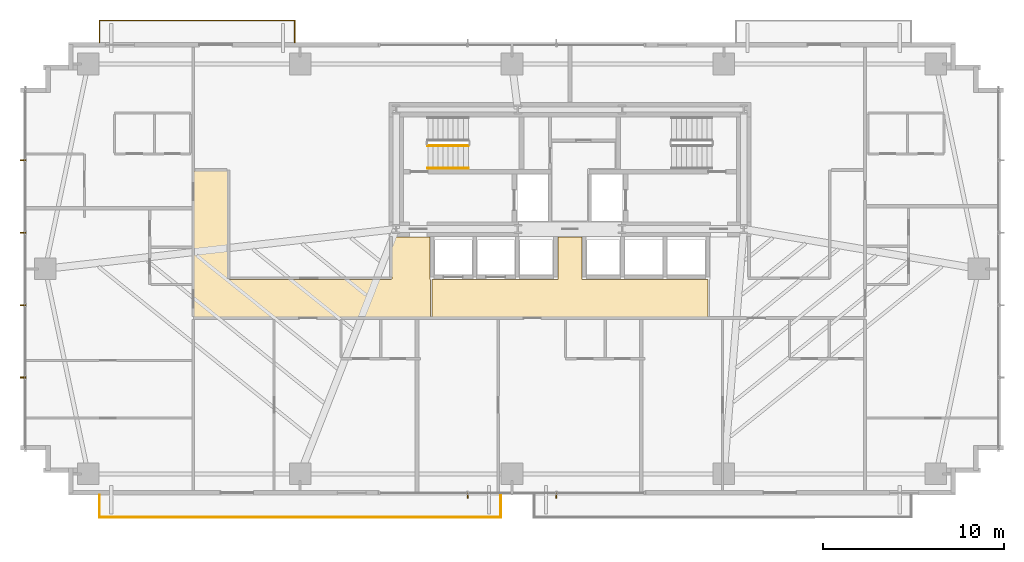
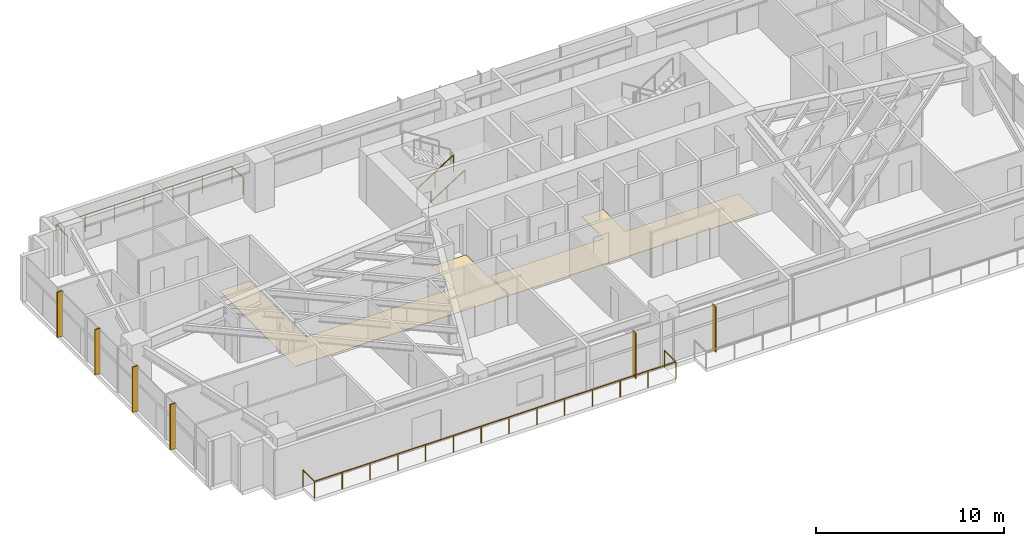
# One storey, part 23 of 25: 6 shading devices, 4 railings, 2 coverings.
"""IFC4 building model written with IfcOpenShell, lengths in metres."""

from ifc_helpers import new_model, si_unit, direction, frame, origin, origin_2d, place, context, subcontext, project, spatial, polyline, rectangle, outline, extrude, source, transform, mapped, material, layer, layer_set, type_object, type_shapes, element, save


model = new_model("IFC4")

# Units and contexts
model_context = context("Model", 3, precision=1e-05, world=origin(), true_north=direction((0.0, 1.0)))
body_context = subcontext(model_context, "Body", "Model", "MODEL_VIEW")
ifc_project = project(units=[si_unit("LENGTHUNIT", "METRE"), si_unit("AREAUNIT", "SQUARE_METRE"), si_unit("VOLUMEUNIT", "CUBIC_METRE"), si_unit("PLANEANGLEUNIT", "RADIAN"), si_unit("MASSUNIT", "GRAM", prefix="KILO")], contexts=[model_context])

# Site, building, storey
site_placement = place(None, origin())
site = spatial("IfcSite", under=ifc_project, at=site_placement, CompositionType="ELEMENT")
building_placement = place(site_placement, origin())
building = spatial("IfcBuilding", under=site, at=building_placement, Name="Astriad Promenade Condominiums", CompositionType="ELEMENT")
storey_placement = place(building_placement, frame((0.0, 0.0, 61.39990234375)))
storey = spatial("IfcBuildingStorey", under=building, at=storey_placement, Name="L17", CompositionType="ELEMENT", Elevation=61.39990234375)

# Coverings
ifc_material_1 = material(Name="Polished Lakefront Terrazzo Flooring")
ifc_layer = layer(ifc_material_1, 0.02001953125)
ifc_layer_set = layer_set([ifc_layer], Name="Polished Lakefront Terrazzo Flooring")
covering_type = type_object("IfcCoveringType", Name="COV-FLOR-TERRAZZO-20", PredefinedType="FLOORING", material=ifc_layer_set)
covering_1_placement = place(storey_placement, origin())
element("IfcCovering", 1, at=covering_1_placement, inside=storey, type_object=covering_type, Name="FLR-L17-LLB", PredefinedType="FLOORING", context=body_context, shape_type="SweptSolid", body=[
    extrude(outline(polyline([(43.610107421875, 14.610107421875), (43.610107421875, 12.530029296875), (28.389892578125, 12.530029296875), (28.389892578125, 14.610107421875), (35.300048828125, 14.610107421875), (35.303955078125, 14.610107421875), (35.307861328125, 14.61083984375), (35.3115234375, 14.61181640625), (35.315185546875, 14.613037109375), (35.31884765625, 14.61474609375), (35.322265625, 14.61669921875), (35.325439453125, 14.619140625), (35.328369140625, 14.62158203125), (35.330810546875, 14.62451171875), (35.333251953125, 14.627685546875), (35.335205078125, 14.631103515625), (35.3369140625, 14.634765625), (35.33837890625, 14.638427734375), (35.339111328125, 14.64208984375), (35.33984375, 14.64599609375), (35.340087890625, 14.64990234375), (35.340087890625, 16.9599609375), (36.659912109375, 16.9599609375), (36.659912109375, 14.64990234375), (36.66015625, 14.64599609375), (36.660888671875, 14.64208984375), (36.66162109375, 14.638427734375), (36.6630859375, 14.634765625), (36.664794921875, 14.631103515625), (36.666748046875, 14.627685546875), (36.669189453125, 14.62451171875), (36.671630859375, 14.62158203125), (36.674560546875, 14.619140625), (36.677734375, 14.61669921875), (36.68115234375, 14.61474609375), (36.684814453125, 14.613037109375), (36.6884765625, 14.61181640625), (36.692138671875, 14.61083984375), (36.696044921875, 14.610107421875), (36.699951171875, 14.610107421875), (43.610107421875, 14.610107421875)])), origin(), (0.0, 0.0, 1.0), 0.02001953125),
])
covering_2_placement = place(storey_placement, origin())
element("IfcCovering", 2, at=covering_2_placement, inside=storey, type_object=covering_type, Name="FLR-L17-COR-2", PredefinedType="FLOORING", context=body_context, shape_type="SweptSolid", body=[
    extrude(outline(polyline([(28.300048828125, 12.530029296875), (15.239990234375, 12.530029296875), (15.239990234375, 20.610107421875), (17.110107421875, 20.610107421875), (17.110107421875, 14.659912109375), (17.110107421875, 14.656005859375), (17.11083984375, 14.652099609375), (17.11181640625, 14.6484375), (17.113037109375, 14.644775390625), (17.11474609375, 14.64111328125), (17.11669921875, 14.6376953125), (17.119140625, 14.634521484375), (17.12158203125, 14.631591796875), (17.12451171875, 14.629150390625), (17.127685546875, 14.626708984375), (17.131103515625, 14.624755859375), (17.134765625, 14.623046875), (17.138427734375, 14.62158203125), (17.14208984375, 14.620849609375), (17.14599609375, 14.6201171875), (17.14990234375, 14.6201171875), (26.1201171875, 14.6201171875), (26.123779296875, 14.6201171875), (26.127685546875, 14.620849609375), (26.131591796875, 14.62158203125), (26.13525390625, 14.623046875), (26.138916015625, 14.624755859375), (26.14208984375, 14.626708984375), (26.1455078125, 14.629150390625), (26.148193359375, 14.631591796875), (26.15087890625, 14.634521484375), (26.1533203125, 14.6376953125), (26.1552734375, 14.64111328125), (26.156982421875, 14.644775390625), (26.158203125, 14.6484375), (26.1591796875, 14.652099609375), (26.159912109375, 14.656005859375), (26.159912109375, 14.659912109375), (26.159912109375, 16.9599609375), (28.260009765625, 16.9599609375), (28.260009765625, 14.64990234375), (28.26025390625, 14.64599609375), (28.2607421875, 14.64208984375), (28.26171875, 14.638427734375), (28.262939453125, 14.634765625), (28.2646484375, 14.631103515625), (28.2666015625, 14.627685546875), (28.26904296875, 14.62451171875), (28.271728515625, 14.62158203125), (28.274658203125, 14.619140625), (28.27783203125, 14.61669921875), (28.281005859375, 14.61474609375), (28.28466796875, 14.613037109375), (28.288330078125, 14.61181640625), (28.292236328125, 14.61083984375), (28.296142578125, 14.610107421875), (28.300048828125, 14.610107421875), (28.300048828125, 12.530029296875)])), origin(), (0.0, 0.0, 1.0), 0.02001953125),
])

# Shading devices
ifc_material_2 = material(Name="Anodised aluminium 6063-T6 Black Fin", Category="aluminium")
shading_device_type = type_object("IfcShadingDeviceType", Name="FIN-BLACK-320", PredefinedType="USERDEFINED", material=ifc_material_2)
shared_shape_1 = source(origin(), body_context, "Body", "SweptSolid", [
    extrude(rectangle(XDim=0.06494140625, YDim=0.320068359375, at=origin_2d()), origin(), (0.0, 0.0, 1.0), 2.93994140625),
])
type_shapes(shading_device_type, [shared_shape_1])
for number, where, z_axis, x_axis, name in (
    (3, (5.7900390625, 9.199951171875, 0.000244140625), (0.0, 0.0, 1.0), (0.0, 1.0, 0.0), "CW-L17-W-FIN-01"),
    (4, (5.7900390625, 13.199951171875, 0.000244140625), (0.0, 0.0, 1.0), (0.0, 1.0, 0.0), "CW-L17-W-FIN-02"),
    (5, (5.7900390625, 17.199951171875, 0.000244140625), (0.0, 0.0, 1.0), (0.0, 1.0, 0.0), "CW-L17-W-FIN-03"),
    (6, (5.7900390625, 21.199951171875, 0.000244140625), (0.0, 0.0, 1.0), (0.0, 1.0, 0.0), "CW-L17-W-FIN-04"),
    (7, (35.25, 2.68994140625, 0.000244140625), (0.0, 0.0, 1.0), (-1.0, 0.0, 0.0), "CW-L17-S-FIN-01"),
    (8, (30.35009765625, 2.68994140625, 0.000244140625), (0.0, 0.0, 1.0), (-1.0, 0.0, 0.0), "CW-L17-S-FIN-02"),
):
    element("IfcShadingDevice", number, at=place(storey_placement, frame(where, z_axis=z_axis, x_axis=x_axis)), inside=storey, type_object=shading_device_type, Name=name, ObjectType="FIN", PredefinedType="USERDEFINED", context=body_context, shape_type="MappedRepresentation", body=[
        mapped(shared_shape_1, transform((0.0, 0.0, 0.0), scale=1.0)),
    ])

# Railings
ifc_material_3 = material(Name="Laminated Glass and Stainless Steel Balustrade", Category="steel")
railing_type_1 = type_object("IfcRailingType", Name="GRD-BALC-1120", PredefinedType="BALUSTRADE", material=ifc_material_3)
shared_shape_2 = source(origin(), body_context, "Body", "SweptSolid", [
    extrude(rectangle(XDim=0.048095703125, YDim=0.048095703125, at=origin_2d()), frame((0.0, 0.0, 1.09619140625), z_axis=(0.0, -1.0, 0.0), x_axis=(1.0, 0.0, 0.0)), (0.0, 0.0, 1.0), 1.219970703125),
    extrude(rectangle(XDim=0.048095703125, YDim=0.048095703125, at=origin_2d()), frame((0.0, -1.219970703125, 1.09619140625), z_axis=(1.0, 0.0, 0.0), x_axis=(0.0, 1.0, 0.0)), (0.0, 0.0, 1.0), 22.155029296875),
    extrude(rectangle(XDim=0.048095703125, YDim=0.048095703125, at=origin_2d()), frame((22.155029296875, -1.219970703125, 1.09619140625), z_axis=(0.0, 1.0, 0.0), x_axis=(-1.0, 0.0, 0.0)), (0.0, 0.0, 1.0), 1.219970703125),
    extrude(rectangle(XDim=0.0419921875, YDim=0.0419921875, at=origin_2d()), origin(), (0.0, 0.0, 1.0), 1.072021484375),
    extrude(rectangle(XDim=0.0419921875, YDim=0.0419921875, at=origin_2d()), frame((0.0, -1.219970703125, 0.0)), (0.0, 0.0, 1.0), 1.072021484375),
    extrude(rectangle(XDim=0.0419921875, YDim=0.0419921875, at=origin_2d()), frame((1.704345703125, -1.219970703125, 0.0)), (0.0, 0.0, 1.0), 1.072021484375),
    extrude(rectangle(XDim=0.0419921875, YDim=0.0419921875, at=origin_2d()), frame((3.408447265625, -1.219970703125, 0.0)), (0.0, 0.0, 1.0), 1.072021484375),
    extrude(rectangle(XDim=0.0419921875, YDim=0.0419921875, at=origin_2d()), frame((5.11279296875, -1.219970703125, 0.0)), (0.0, 0.0, 1.0), 1.072021484375),
    extrude(rectangle(XDim=0.0419921875, YDim=0.0419921875, at=origin_2d()), frame((6.81689453125, -1.219970703125, 0.0)), (0.0, 0.0, 1.0), 1.072021484375),
    extrude(rectangle(XDim=0.0419921875, YDim=0.0419921875, at=origin_2d()), frame((8.521240234375, -1.219970703125, 0.0)), (0.0, 0.0, 1.0), 1.072021484375),
    extrude(rectangle(XDim=0.0419921875, YDim=0.0419921875, at=origin_2d()), frame((10.225341796875, -1.219970703125, 0.0)), (0.0, 0.0, 1.0), 1.072021484375),
    extrude(rectangle(XDim=0.0419921875, YDim=0.0419921875, at=origin_2d()), frame((11.9296875, -1.219970703125, 0.0)), (0.0, 0.0, 1.0), 1.072021484375),
    extrude(rectangle(XDim=0.0419921875, YDim=0.0419921875, at=origin_2d()), frame((13.6337890625, -1.219970703125, 0.0)), (0.0, 0.0, 1.0), 1.072021484375),
    extrude(rectangle(XDim=0.0419921875, YDim=0.0419921875, at=origin_2d()), frame((15.338134765625, -1.219970703125, 0.0)), (0.0, 0.0, 1.0), 1.072021484375),
    extrude(rectangle(XDim=0.0419921875, YDim=0.0419921875, at=origin_2d()), frame((17.042236328125, -1.219970703125, 0.0)), (0.0, 0.0, 1.0), 1.072021484375),
    extrude(rectangle(XDim=0.0419921875, YDim=0.0419921875, at=origin_2d()), frame((18.74658203125, -1.219970703125, 0.0)), (0.0, 0.0, 1.0), 1.072021484375),
    extrude(rectangle(XDim=0.0419921875, YDim=0.0419921875, at=origin_2d()), frame((20.45068359375, -1.219970703125, 0.0)), (0.0, 0.0, 1.0), 1.072021484375),
    extrude(rectangle(XDim=0.0419921875, YDim=0.0419921875, at=origin_2d()), frame((22.155029296875, -1.219970703125, 0.0)), (0.0, 0.0, 1.0), 1.072021484375),
    extrude(rectangle(XDim=0.0419921875, YDim=0.0419921875, at=origin_2d()), frame((22.155029296875, 0.0, 0.0)), (0.0, 0.0, 1.0), 1.072021484375),
])
railing_1_placement = place(storey_placement, frame((10.02197265625, 2.699951171875, 0.0)))
element("IfcRailing", 9, at=railing_1_placement, inside=storey, type_object=railing_type_1, Name="GRD-BALC-L17-SW", PredefinedType="BALUSTRADE", context=body_context, shape_type="MappedRepresentation", body=[
    mapped(shared_shape_2, transform((0.0, 0.0, 0.0), scale=1.0)),
])
shared_shape_3 = source(origin(), body_context, "Body", "SweptSolid", [
    extrude(rectangle(XDim=0.048095703125, YDim=0.048095703125, at=origin_2d()), frame((0.0, 0.0, 1.09619140625), z_axis=(0.0, 1.0, 0.0), x_axis=(-1.0, 0.0, 0.0)), (0.0, 0.0, 1.0), 1.219970703125),
    extrude(rectangle(XDim=0.048095703125, YDim=0.048095703125, at=origin_2d()), frame((0.0, 1.219970703125, 1.09619140625), z_axis=(-1.0, 0.0, 0.0), x_axis=(0.0, -1.0, 0.0)), (0.0, 0.0, 1.0), 10.778076171875),
    extrude(rectangle(XDim=0.048095703125, YDim=0.048095703125, at=origin_2d()), frame((-10.778076171875, 1.219970703125, 1.09619140625), z_axis=(0.0, -1.0, 0.0), x_axis=(1.0, 0.0, 0.0)), (0.0, 0.0, 1.0), 1.219970703125),
    extrude(rectangle(XDim=0.0419921875, YDim=0.0419921875, at=origin_2d()), origin(), (0.0, 0.0, 1.0), 1.072021484375),
    extrude(rectangle(XDim=0.0419921875, YDim=0.0419921875, at=origin_2d()), frame((0.0, 1.219970703125, 0.0)), (0.0, 0.0, 1.0), 1.072021484375),
    extrude(rectangle(XDim=0.0419921875, YDim=0.0419921875, at=origin_2d()), frame((-1.79638671875, 1.219970703125, 0.0)), (0.0, 0.0, 1.0), 1.072021484375),
    extrude(rectangle(XDim=0.0419921875, YDim=0.0419921875, at=origin_2d()), frame((-3.5927734375, 1.219970703125, 0.0)), (0.0, 0.0, 1.0), 1.072021484375),
    extrude(rectangle(XDim=0.0419921875, YDim=0.0419921875, at=origin_2d()), frame((-5.38916015625, 1.219970703125, 0.0)), (0.0, 0.0, 1.0), 1.072021484375),
    extrude(rectangle(XDim=0.0419921875, YDim=0.0419921875, at=origin_2d()), frame((-7.185302734375, 1.219970703125, 0.0)), (0.0, 0.0, 1.0), 1.072021484375),
    extrude(rectangle(XDim=0.0419921875, YDim=0.0419921875, at=origin_2d()), frame((-8.981689453125, 1.219970703125, 0.0)), (0.0, 0.0, 1.0), 1.072021484375),
    extrude(rectangle(XDim=0.0419921875, YDim=0.0419921875, at=origin_2d()), frame((-10.778076171875, 1.219970703125, 0.0)), (0.0, 0.0, 1.0), 1.072021484375),
    extrude(rectangle(XDim=0.0419921875, YDim=0.0419921875, at=origin_2d()), frame((-10.778076171875, 0.0, 0.0)), (0.0, 0.0, 1.0), 1.072021484375),
])
type_shapes(railing_type_1, [shared_shape_2, shared_shape_3])
railing_2_placement = place(storey_placement, frame((20.800048828125, 27.699951171875, 0.0)))
element("IfcRailing", 10, at=railing_2_placement, inside=storey, type_object=railing_type_1, Name="GRD-BALC-L17-NW", PredefinedType="BALUSTRADE", context=body_context, shape_type="MappedRepresentation", body=[
    mapped(shared_shape_3, transform((0.0, 0.0, 0.0), scale=1.0)),
])
ifc_material_4 = material(Name="Painted Galvanised Steel Guardrail", Category="steel")
railing_type_2 = type_object("IfcRailingType", Name="GRD-STAIR-1100", PredefinedType="GUARDRAIL", material=ifc_material_4)
shared_shape_4 = source(origin(), body_context, "Body", "SweptSolid", [
    extrude(rectangle(XDim=0.048095703125, YDim=0.048095703125, at=origin_2d()), frame((0.0, 0.0, 1.076171875), z_axis=(0.8442293374, 0.0, 0.53598211339), x_axis=(0.0, 1.0, 0.0)), (0.0, 0.0, 1.0), 2.6533203125),
    extrude(rectangle(XDim=0.0419921875, YDim=0.0419921875, at=origin_2d()), origin(), (0.0, 0.0, 1.0), 1.052001953125),
    extrude(rectangle(XDim=0.0419921875, YDim=0.0419921875, at=origin_2d()), frame((1.1201171875, 0.0, 0.7109375)), (0.0, 0.0, 1.0), 1.052001953125),
    extrude(rectangle(XDim=0.0419921875, YDim=0.0419921875, at=origin_2d()), frame((2.239990234375, 0.0, 1.422119140625)), (0.0, 0.0, 1.0), 1.052001953125),
])
type_shapes(railing_type_2, [shared_shape_4])
railing_3_placement = place(storey_placement, frame((28.14990234375, 22.0, 0.177978515625)))
element("IfcRailing", 11, at=railing_3_placement, inside=storey, type_object=railing_type_2, Name="L17 ST-1 stair guard 1", PredefinedType="GUARDRAIL", context=body_context, shape_type="MappedRepresentation", body=[
    mapped(shared_shape_4, transform((0.0, 0.0, 0.0), scale=1.0)),
])
ifc_material_5 = material(Name="Brushed Stainless Steel Handrail", Category="steel")
railing_type_3 = type_object("IfcRailingType", Name="HRL-STAIR-920", PredefinedType="HANDRAIL", material=ifc_material_5)
shared_shape_5 = source(origin(), body_context, "Body", "SweptSolid", [
    extrude(rectangle(XDim=0.048095703125, YDim=0.048095703125, at=origin_2d()), frame((0.0, 0.0, 0.8759765625), z_axis=(0.8442293374, 0.0, 0.53598211339), x_axis=(0.0, 1.0, 0.0)), (0.0, 0.0, 1.0), 2.6533203125),
    extrude(rectangle(XDim=0.0419921875, YDim=0.0419921875, at=origin_2d()), origin(), (0.0, 0.0, 1.0), 0.851806640625),
    extrude(rectangle(XDim=0.0419921875, YDim=0.0419921875, at=origin_2d()), frame((1.1201171875, 0.0, 0.7109375)), (0.0, 0.0, 1.0), 0.851806640625),
    extrude(rectangle(XDim=0.0419921875, YDim=0.0419921875, at=origin_2d()), frame((2.239990234375, 0.0, 1.422119140625)), (0.0, 0.0, 1.0), 0.851806640625),
])
type_shapes(railing_type_3, [shared_shape_5])
railing_4_placement = place(storey_placement, frame((28.14990234375, 20.75, 0.177978515625)))
element("IfcRailing", 12, at=railing_4_placement, inside=storey, type_object=railing_type_3, Name="L17 ST-1 stair handrail 1", PredefinedType="HANDRAIL", context=body_context, shape_type="MappedRepresentation", body=[
    mapped(shared_shape_5, transform((0.0, 0.0, 0.0), scale=1.0)),
])

save(model, "model.ifc")
